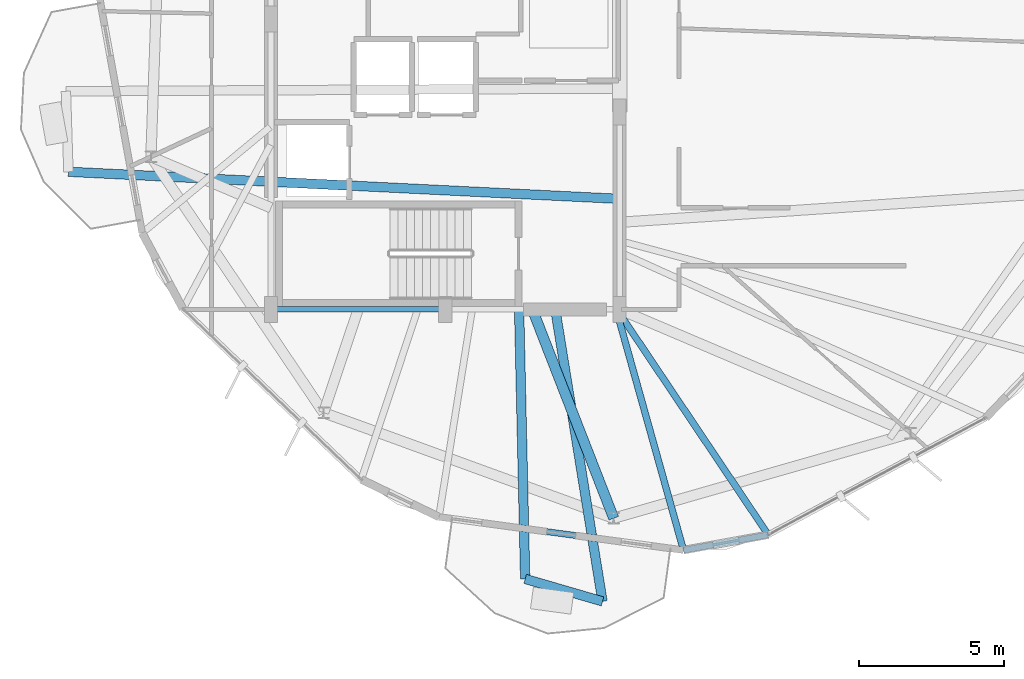
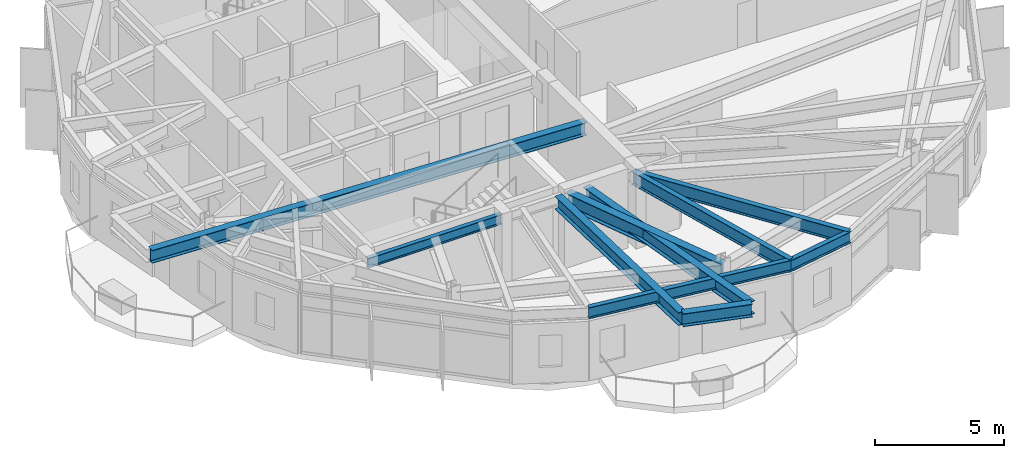
# One storey, part 4 of 26: 10 beams.
"""IFC4 building model written with IfcOpenShell, lengths in metres."""

from ifc_helpers import new_model, si_unit, direction, frame, origin, origin_2d, place, context, subcontext, project, spatial, i_section, extrude, material, material_profile, profile_set, type_object, element, save


model = new_model("IFC4")

# Units and contexts
model_context = context("Model", 3, precision=1e-05, world=origin(), true_north=direction((0.0, 1.0)))
body_context = subcontext(model_context, "Body", "Model", "MODEL_VIEW")
ifc_project = project(units=[si_unit("LENGTHUNIT", "METRE"), si_unit("AREAUNIT", "SQUARE_METRE"), si_unit("VOLUMEUNIT", "CUBIC_METRE"), si_unit("PLANEANGLEUNIT", "RADIAN"), si_unit("MASSUNIT", "GRAM", prefix="KILO")], contexts=[model_context])

# Site, building, storey
site_placement = place(None, origin())
site = spatial("IfcSite", under=ifc_project, at=site_placement, CompositionType="ELEMENT")
building_placement = place(site_placement, origin())
building = spatial("IfcBuilding", under=site, at=building_placement, Name="Soratama Intermodal Tower", CompositionType="ELEMENT")
storey_placement = place(building_placement, frame((0.0, 0.0, 268.75)))
storey = spatial("IfcBuildingStorey", under=building, at=storey_placement, Name="L68", CompositionType="ELEMENT", Elevation=268.75)

# Beams
ifc_material_1 = material(Name="Structural steel ASTM A992 Grade 50", Category="steel")
ifc_material_profile_1 = material_profile(ifc_material_1, i_section(OverallWidth=0.324951171875, OverallDepth=0.615966796875, WebThickness=0.013916015625, FlangeThickness=0.021484375, FilletRadius=0.013916015625, at=origin_2d()), Name="W24X117")
ifc_profile_set_1 = profile_set([ifc_material_profile_1], Name="Structural steel ASTM A992 Grade 50")
beam_type_1 = type_object("IfcBeamType", Name="BM-CANT-W24X117", PredefinedType="BEAM", material=ifc_profile_set_1)
beam_1_placement = place(storey_placement, frame((41.35107421875, 5.722900390625, 3.14208984375), z_axis=(0.960197871468, -0.279320689583, 0.0), x_axis=(0.279320689583, 0.960197871468, 0.0)))
element("IfcBeam", 1, at=beam_1_placement, inside=storey, type_object=beam_type_1, Name="BM-L68-CBHDR-3", PredefinedType="BEAM", context=body_context, shape_type="SweptSolid", body=[
    extrude(i_section(OverallWidth=0.324951171875, OverallDepth=0.615966796875, WebThickness=0.013916015625, FlangeThickness=0.021484375, FilletRadius=0.013916015625, at=origin_2d()), origin(), (0.0, 0.0, 1.0), 2.774169921875),
])
beam_2_placement = place(storey_placement, frame((44.56005859375, 18.81005859375, 3.14208984375), z_axis=(-0.998793675887, 0.049103900128, 0.0), x_axis=(-0.049103900128, -0.998793675887, 0.0)))
element("IfcBeam", 2, at=beam_2_placement, inside=storey, type_object=beam_type_1, Name="BM-L68-CANT-2-2", PredefinedType="BEAM", context=body_context, shape_type="SweptSolid", body=[
    extrude(i_section(OverallWidth=0.324951171875, OverallDepth=0.615966796875, WebThickness=0.013916015625, FlangeThickness=0.021484375, FilletRadius=0.013916015625, at=origin_2d()), origin(), (0.0, 0.0, 1.0), 18.9580078125),
])
beam_3_placement = place(storey_placement, frame((41.14404296875, 14.9599609375, 3.14208984375), z_axis=(0.02240748209, -0.999748920853, 0.0), x_axis=(0.999748920853, 0.02240748209, 0.0)))
element("IfcBeam", 3, at=beam_3_placement, inside=storey, type_object=beam_type_1, Name="BM-L68-CANT-3-1", PredefinedType="BEAM", context=body_context, shape_type="SweptSolid", body=[
    extrude(i_section(OverallWidth=0.324951171875, OverallDepth=0.615966796875, WebThickness=0.013916015625, FlangeThickness=0.021484375, FilletRadius=0.013916015625, at=origin_2d()), origin(), (0.0, 0.0, 1.0), 9.239501953125),
])
beam_4_placement = place(storey_placement, frame((42.39501953125, 14.9609375, 3.14208984375), z_axis=(0.159701606606, -0.987165334099, 0.0), x_axis=(0.987165334099, 0.159701606606, 0.0)))
element("IfcBeam", 4, at=beam_4_placement, inside=storey, type_object=beam_type_1, Name="BM-L68-CANT-3-2", PredefinedType="BEAM", context=body_context, shape_type="SweptSolid", body=[
    extrude(i_section(OverallWidth=0.324951171875, OverallDepth=0.615966796875, WebThickness=0.013916015625, FlangeThickness=0.021484375, FilletRadius=0.013916015625, at=origin_2d()), origin(), (0.0, 0.0, 1.0), 10.14306640625),
])
ifc_material_2 = material(Name="Structural steel ASTM A992 Grade 50", Category="steel")
ifc_material_profile_2 = material_profile(ifc_material_2, i_section(OverallWidth=0.19091796875, OverallDepth=0.4599609375, WebThickness=0.010009765625, FlangeThickness=0.01611328125, FilletRadius=0.010986328125, at=origin_2d()), Name="W18X55")
ifc_profile_set_2 = profile_set([ifc_material_profile_2], Name="Structural steel ASTM A992 Grade 50")
beam_type_2 = type_object("IfcBeamType", Name="BM-FLR-W18X55", PredefinedType="BEAM", material=ifc_profile_set_2)
beam_5_placement = place(storey_placement, frame((32.60009765625, 15.0, 3.219970703125), z_axis=(1.0, 0.0, 0.0), x_axis=(0.0, 1.0, 0.0)))
element("IfcBeam", 5, at=beam_5_placement, inside=storey, type_object=beam_type_2, Name="BM-L68-CRING-01", PredefinedType="BEAM", context=body_context, shape_type="SweptSolid", body=[
    extrude(i_section(OverallWidth=0.19091796875, OverallDepth=0.4599609375, WebThickness=0.010009765625, FlangeThickness=0.01611328125, FilletRadius=0.010986328125, at=origin_2d()), origin(), (0.0, 0.0, 1.0), 6.0),
])
ifc_material_3 = material(Name="Structural steel ASTM A992 Grade 50", Category="steel")
ifc_material_profile_3 = material_profile(ifc_material_3, i_section(OverallWidth=0.35498046875, OverallDepth=0.695068359375, WebThickness=0.015380859375, FlangeThickness=0.02490234375, FilletRadius=0.01611328125, at=origin_2d()), Name="W27X146")
ifc_profile_set_3 = profile_set([ifc_material_profile_3], Name="Structural steel ASTM A992 Grade 50")
beam_type_3 = type_object("IfcBeamType", Name="BM-RING-W27X146", PredefinedType="BEAM", material=ifc_profile_set_3)
beam_6_placement = place(storey_placement, frame((41.60009765625, 15.0, 3.1025390625), z_axis=(0.362907405592, -0.931825206231, 0.0), x_axis=(0.931825206231, 0.362907405592, 0.0)))
element("IfcBeam", 6, at=beam_6_placement, inside=storey, type_object=beam_type_3, Name="BM-L68-RAD-08", PredefinedType="BEAM", context=body_context, shape_type="SweptSolid", body=[
    extrude(i_section(OverallWidth=0.35498046875, OverallDepth=0.695068359375, WebThickness=0.015380859375, FlangeThickness=0.02490234375, FilletRadius=0.01611328125, at=origin_2d()), origin(), (0.0, 0.0, 1.0), 7.71484375),
])
ifc_material_4 = material(Name="Structural steel ASTM A992 Grade 50", Category="steel")
ifc_material_profile_4 = material_profile(ifc_material_4, i_section(OverallWidth=0.2099609375, OverallDepth=0.537109375, WebThickness=0.010986328125, FlangeThickness=0.017333984375, FilletRadius=0.012939453125, at=origin_2d()), Name="W21X68")
ifc_profile_set_4 = profile_set([ifc_material_profile_4], Name="Structural steel ASTM A992 Grade 50")
beam_type_4 = type_object("IfcBeamType", Name="BM-SPN-W21X68", PredefinedType="SPANDREL", material=ifc_profile_set_4)
beam_7_placement = place(storey_placement, frame((38.381103515625, 7.85498046875, 3.181396484375), z_axis=(0.990899257808, -0.1346055752, 0.0), x_axis=(0.1346055752, 0.990899257808, 0.0)))
element("IfcBeam", 7, at=beam_7_placement, inside=storey, type_object=beam_type_4, Name="BS-L68-F06", PredefinedType="SPANDREL", context=body_context, shape_type="SweptSolid", body=[
    extrude(i_section(OverallWidth=0.2099609375, OverallDepth=0.537109375, WebThickness=0.010986328125, FlangeThickness=0.017333984375, FilletRadius=0.012939453125, at=origin_2d()), origin(), (0.0, 0.0, 1.0), 8.499267578125),
])
beam_8_placement = place(storey_placement, frame((46.802978515625, 6.7109375, 3.181396484375), z_axis=(0.984026239341, 0.17802348241, 0.0), x_axis=(-0.17802348241, 0.984026239341, 0.0)))
element("IfcBeam", 8, at=beam_8_placement, inside=storey, type_object=beam_type_4, Name="BS-L68-CRN06", PredefinedType="SPANDREL", context=body_context, shape_type="SweptSolid", body=[
    extrude(i_section(OverallWidth=0.2099609375, OverallDepth=0.537109375, WebThickness=0.010986328125, FlangeThickness=0.017333984375, FilletRadius=0.012939453125, at=origin_2d()), origin(), (0.0, 0.0, 1.0), 2.96630859375),
])
ifc_material_5 = material(Name="Structural steel ASTM A992 Grade 50", Category="steel")
ifc_material_profile_5 = material_profile(ifc_material_5, i_section(OverallWidth=0.22900390625, OverallDepth=0.612060546875, WebThickness=0.011962890625, FlangeThickness=0.01953125, FilletRadius=0.012939453125, at=origin_2d()), Name="W24X84")
ifc_profile_set_5 = profile_set([ifc_material_profile_5], Name="Structural steel ASTM A992 Grade 50")
beam_type_5 = type_object("IfcBeamType", Name="BM-TIE-W24X84", PredefinedType="BEAM", material=ifc_profile_set_5)
beam_9_placement = place(storey_placement, frame((44.4951171875, 14.9609375, 3.14404296875), z_axis=(0.269398418467, -0.963028811681, 0.0), x_axis=(0.963028811681, 0.269398418467, 0.0)))
element("IfcBeam", 9, at=beam_9_placement, inside=storey, type_object=beam_type_5, Name="BM-L68-TIE1-06", PredefinedType="BEAM", context=body_context, shape_type="SweptSolid", body=[
    extrude(i_section(OverallWidth=0.22900390625, OverallDepth=0.612060546875, WebThickness=0.011962890625, FlangeThickness=0.01953125, FilletRadius=0.012939453125, at=origin_2d()), origin(), (0.0, 0.0, 1.0), 8.566650390625),
])
beam_10_placement = place(storey_placement, frame((44.531982421875, 14.967041015625, 3.14404296875), z_axis=(0.557517338749, -0.830165294983, 0.0), x_axis=(0.830165294983, 0.557517338749, 0.0)))
element("IfcBeam", 10, at=beam_10_placement, inside=storey, type_object=beam_type_5, Name="BM-L68-TIE0-07", PredefinedType="BEAM", context=body_context, shape_type="SweptSolid", body=[
    extrude(i_section(OverallWidth=0.22900390625, OverallDepth=0.612060546875, WebThickness=0.011962890625, FlangeThickness=0.01953125, FilletRadius=0.012939453125, at=origin_2d()), origin(), (0.0, 0.0, 1.0), 9.30908203125),
])

save(model, "model.ifc")
